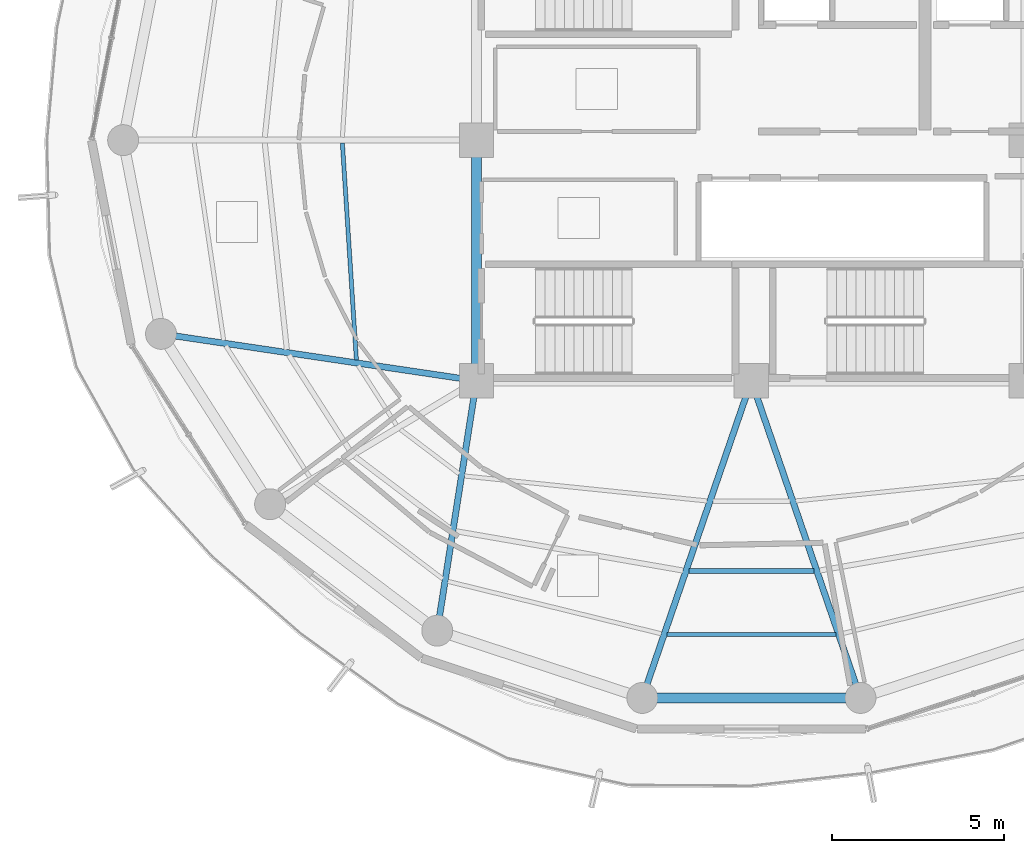
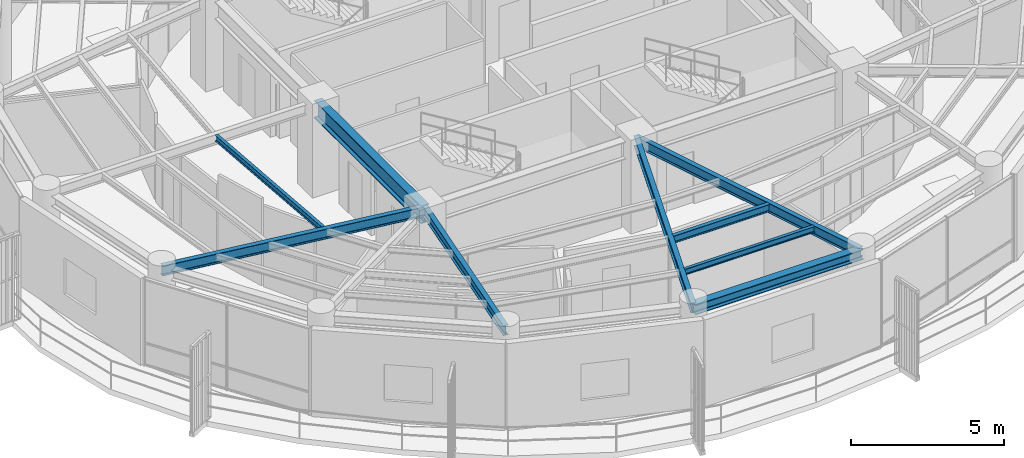
# One storey, part 4 of 23: 9 beams.
"""IFC4 building model written with IfcOpenShell, lengths in metres."""

from ifc_helpers import new_model, si_unit, direction, frame, origin, origin_2d, place, context, subcontext, project, spatial, i_section, extrude, material, material_profile, profile_set, type_object, element, save


model = new_model("IFC4")

# Units and contexts
model_context = context("Model", 3, precision=1e-05, world=origin(), true_north=direction((0.0, 1.0)))
body_context = subcontext(model_context, "Body", "Model", "MODEL_VIEW")
ifc_project = project(units=[si_unit("LENGTHUNIT", "METRE"), si_unit("AREAUNIT", "SQUARE_METRE"), si_unit("VOLUMEUNIT", "CUBIC_METRE"), si_unit("PLANEANGLEUNIT", "RADIAN"), si_unit("MASSUNIT", "GRAM", prefix="KILO")], contexts=[model_context])

# Site, building, storey
site_placement = place(None, origin())
site = spatial("IfcSite", under=ifc_project, at=site_placement, CompositionType="ELEMENT")
building_placement = place(site_placement, origin())
building = spatial("IfcBuilding", under=site, at=building_placement, Name="Kelanora Arch Commons", CompositionType="ELEMENT")
storey_placement = place(building_placement, frame((0.0, 0.0, 286.199951171875)))
storey = spatial("IfcBuildingStorey", under=building, at=storey_placement, Name="L73", CompositionType="ELEMENT", Elevation=286.199951171875)

# Beams
ifc_material = material(Name="Steel S355", Category="steel")
ifc_material_profile_1 = material_profile(ifc_material, i_section(OverallWidth=0.300048828125, OverallDepth=0.699951171875, WebThickness=0.01708984375, FlangeThickness=0.031982421875, FilletRadius=0.027099609375, at=origin_2d()), Name="HEB700")
ifc_profile_set_1 = profile_set([ifc_material_profile_1], Name="Steel S355")
beam_type_1 = type_object("IfcBeamType", Name="BM-CORE-HDR", PredefinedType="BEAM", material=ifc_profile_set_1)
beam_1_placement = place(storey_placement, frame((66.0, 58.0, 3.14013671875), z_axis=(0.0, -1.0, 0.0), x_axis=(1.0, 0.0, 0.0)))
element("IfcBeam", 1, at=beam_1_placement, inside=storey, type_object=beam_type_1, Name="Core Header Beam 09 L73", PredefinedType="BEAM", context=body_context, shape_type="SweptSolid", body=[
    extrude(i_section(OverallWidth=0.300048828125, OverallDepth=0.699951171875, WebThickness=0.01708984375, FlangeThickness=0.031982421875, FilletRadius=0.027099609375, at=origin_2d()), origin(), (0.0, 0.0, 1.0), 7.0),
])
ifc_material_profile_2 = material_profile(ifc_material, i_section(OverallWidth=0.14990234375, OverallDepth=0.300048828125, WebThickness=0.007080078125, FlangeThickness=0.0107421875, FilletRadius=0.014892578125, at=origin_2d()), Name="IPE300")
ifc_profile_set_2 = profile_set([ifc_material_profile_2], Name="Steel S355")
beam_type_2 = type_object("IfcBeamType", Name="BM-JST-01", PredefinedType="JOIST", material=ifc_profile_set_2)
beam_2_placement = place(storey_placement, frame((72.180419921875, 45.462158203125, 3.340087890625), z_axis=(1.0, 0.0, 0.0), x_axis=(0.0, 1.0, 0.0)))
element("IfcBeam", 2, at=beam_2_placement, inside=storey, type_object=beam_type_2, Name="Secondary Chord Joist BJB-26 L73", PredefinedType="JOIST", context=body_context, shape_type="SweptSolid", body=[
    extrude(i_section(OverallWidth=0.14990234375, OverallDepth=0.300048828125, WebThickness=0.007080078125, FlangeThickness=0.0107421875, FilletRadius=0.014892578125, at=origin_2d()), origin(), (0.0, 0.0, 1.0), 3.63916015625),
])
ifc_material_profile_3 = material_profile(ifc_material, i_section(OverallWidth=0.1201171875, OverallDepth=0.239990234375, WebThickness=0.006103515625, FlangeThickness=0.009765625, FilletRadius=0.014892578125, at=origin_2d()), Name="IPE240")
ifc_profile_set_3 = profile_set([ifc_material_profile_3], Name="Steel S355")
beam_type_3 = type_object("IfcBeamType", Name="BM-JST-02", PredefinedType="JOIST", material=ifc_profile_set_3)
beam_3_placement = place(storey_placement, frame((62.09912109375, 57.915283203125, 3.3701171875), z_axis=(0.064495107978, -0.99791802321, 0.0), x_axis=(0.99791802321, 0.064495107978, 0.0)))
element("IfcBeam", 3, at=beam_3_placement, inside=storey, type_object=beam_type_3, Name="Secondary Chord Joist BJA-18 L73", PredefinedType="JOIST", context=body_context, shape_type="SweptSolid", body=[
    extrude(i_section(OverallWidth=0.1201171875, OverallDepth=0.239990234375, WebThickness=0.006103515625, FlangeThickness=0.009765625, FilletRadius=0.014892578125, at=origin_2d()), origin(), (0.0, 0.0, 1.0), 6.325439453125),
])
beam_4_placement = place(storey_placement, frame((71.545654296875, 43.6162109375, 3.3701171875), z_axis=(1.0, 0.0, 0.0), x_axis=(0.0, 1.0, 0.0)))
element("IfcBeam", 4, at=beam_4_placement, inside=storey, type_object=beam_type_3, Name="Secondary Chord Joist BJC-26 L73", PredefinedType="JOIST", context=body_context, shape_type="SweptSolid", body=[
    extrude(i_section(OverallWidth=0.1201171875, OverallDepth=0.239990234375, WebThickness=0.006103515625, FlangeThickness=0.009765625, FilletRadius=0.014892578125, at=origin_2d()), origin(), (0.0, 0.0, 1.0), 4.90869140625),
])
ifc_material_profile_4 = material_profile(ifc_material, i_section(OverallWidth=0.179931640625, OverallDepth=0.39990234375, WebThickness=0.008544921875, FlangeThickness=0.013427734375, FilletRadius=0.02099609375, at=origin_2d()), Name="IPE400")
ifc_profile_set_4 = profile_set([ifc_material_profile_4], Name="Steel S355")
beam_type_4 = type_object("IfcBeamType", Name="BM-RAD-Z5", PredefinedType="BEAM", material=ifc_profile_set_4)
beam_5_placement = place(storey_placement, frame((66.0, 51.0, 3.2900390625), z_axis=(-0.989142485564, 0.146959665395, 0.0), x_axis=(-0.146959665395, -0.989142485564, 0.0)))
element("IfcBeam", 5, at=beam_5_placement, inside=storey, type_object=beam_type_4, Name="Radial Floor Girder BR-20 L73", PredefinedType="BEAM", context=body_context, shape_type="SweptSolid", body=[
    extrude(i_section(OverallWidth=0.179931640625, OverallDepth=0.39990234375, WebThickness=0.008544921875, FlangeThickness=0.013427734375, FilletRadius=0.02099609375, at=origin_2d()), origin(), (0.0, 0.0, 1.0), 9.2783203125),
])
beam_6_placement = place(storey_placement, frame((66.0, 51.0, 3.2900390625), z_axis=(-0.154855424129, -0.987937142544, 0.0), x_axis=(0.987937142544, -0.154855424129, 0.0)))
element("IfcBeam", 6, at=beam_6_placement, inside=storey, type_object=beam_type_4, Name="Radial Floor Girder BR-24 L73", PredefinedType="BEAM", context=body_context, shape_type="SweptSolid", body=[
    extrude(i_section(OverallWidth=0.179931640625, OverallDepth=0.39990234375, WebThickness=0.008544921875, FlangeThickness=0.013427734375, FilletRadius=0.02099609375, at=origin_2d()), origin(), (0.0, 0.0, 1.0), 7.361083984375),
])
for number, where, z_axis, x_axis, name in (
    (7, (74.0, 51.0, 3.2900390625), (-0.325233562807, -0.945633718532, 0.0), (0.945633718532, -0.325233562807, 0.0), "Radial Floor Girder BR-26 L73"),
    (8, (74.0, 51.0, 3.2900390625), (0.325233562807, -0.945633718532, 0.0), (0.945633718532, 0.325233562807, 0.0), "Radial Floor Girder BR-28 L73"),
):
    element("IfcBeam", number, at=place(storey_placement, frame(where, z_axis=z_axis, x_axis=x_axis)), inside=storey, type_object=beam_type_4, Name=name, PredefinedType="BEAM", context=body_context, shape_type="SweptSolid", body=[
        extrude(i_section(OverallWidth=0.179931640625, OverallDepth=0.39990234375, WebThickness=0.008544921875, FlangeThickness=0.013427734375, FilletRadius=0.02099609375, at=origin_2d()), origin(), (0.0, 0.0, 1.0), 9.760009765625),
    ])
ifc_material_profile_5 = material_profile(ifc_material, i_section(OverallWidth=0.300048828125, OverallDepth=0.39990234375, WebThickness=0.013427734375, FlangeThickness=0.02392578125, FilletRadius=0.027099609375, at=origin_2d()), Name="HEB400")
ifc_profile_set_5 = profile_set([ifc_material_profile_5], Name="Steel S355")
beam_type_5 = type_object("IfcBeamType", Name="BM-SPN-Z4", PredefinedType="SPANDREL", material=ifc_profile_set_5)
beam_7_placement = place(storey_placement, frame((70.82568359375, 41.7705078125, 3.2900390625), z_axis=(1.0, 0.0, 0.0), x_axis=(0.0, 1.0, 0.0)))
element("IfcBeam", 9, at=beam_7_placement, inside=storey, type_object=beam_type_5, Name="Perimeter Spandrel Beam BS-26 L73", PredefinedType="SPANDREL", context=body_context, shape_type="SweptSolid", body=[
    extrude(i_section(OverallWidth=0.300048828125, OverallDepth=0.39990234375, WebThickness=0.013427734375, FlangeThickness=0.02392578125, FilletRadius=0.027099609375, at=origin_2d()), origin(), (0.0, 0.0, 1.0), 6.3486328125),
])

save(model, "model.ifc")
